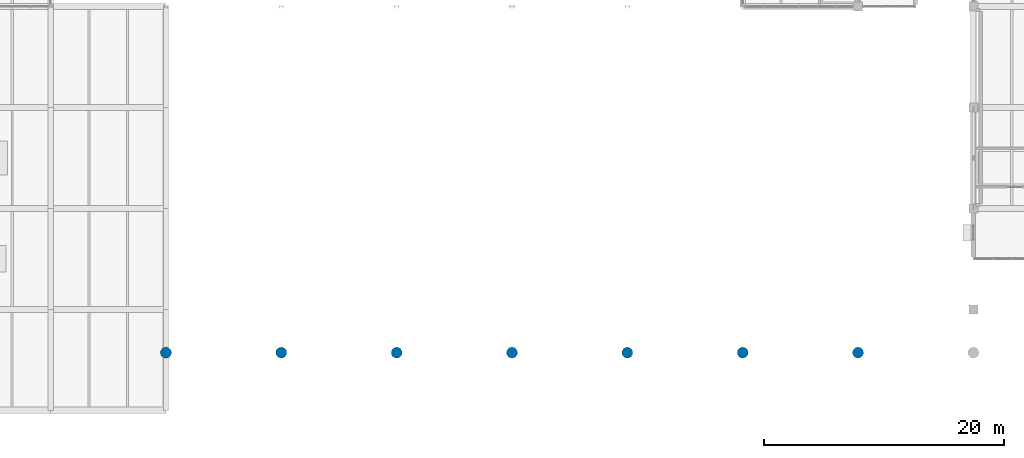
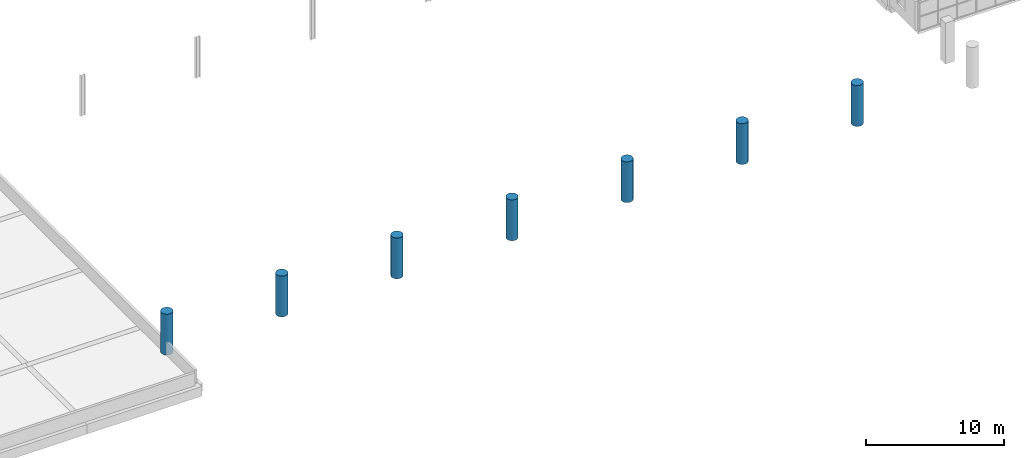
# One storey, part 3 of 147: 7 columns.
"""IFC4 building model written with IfcOpenShell, lengths in metres."""

from ifc_helpers import new_model, si_unit, direction, frame, origin, origin_2d, place, context, subcontext, project, spatial, circle, extrude, material, material_profile, profile_set, type_object, element, save


model = new_model("IFC4")

# Units and contexts
model_context = context("Model", 3, precision=1e-05, world=origin(), true_north=direction((0.0, 1.0)))
body_context = subcontext(model_context, "Body", "Model", "MODEL_VIEW")
ifc_project = project(units=[si_unit("LENGTHUNIT", "METRE"), si_unit("AREAUNIT", "SQUARE_METRE"), si_unit("VOLUMEUNIT", "CUBIC_METRE"), si_unit("PLANEANGLEUNIT", "RADIAN"), si_unit("MASSUNIT", "GRAM", prefix="KILO")], contexts=[model_context])

# Site, building, storey
site_placement = place(None, origin())
site = spatial("IfcSite", under=ifc_project, at=site_placement, CompositionType="ELEMENT")
building_placement = place(site_placement, origin())
building = spatial("IfcBuilding", under=site, at=building_placement, Name="Oolite Switchyard Hospital", CompositionType="ELEMENT")
storey_placement = place(building_placement, frame((0.0, 0.0, 9.89990234375)))
storey = spatial("IfcBuildingStorey", under=building, at=storey_placement, Name="L02", CompositionType="ELEMENT", Elevation=9.89990234375)

# Columns
ifc_material = material(Name="Precast concrete C40/50", Category="concrete")
ifc_material_profile = material_profile(ifc_material, circle(Radius=0.449951171875, at=origin_2d()), Name="RCCOL900")
ifc_profile_set = profile_set([ifc_material_profile], Name="Precast concrete C40/50")
column_type = type_object("IfcColumnType", Name="COL-PORT900", PredefinedType="COLUMN", material=ifc_profile_set)
for number, where, z_axis, x_axis, name in (
    (1, (67.199951171875, 4.800048828125, 0.0), (0.0, 0.0, 1.0), (1.0, 0.0, 0.0), "L02 Column 735"),
    (2, (76.800048828125, 4.800048828125, 0.0), (0.0, 0.0, 1.0), (1.0, 0.0, 0.0), "L02 Column 744"),
    (3, (86.39990234375, 4.800048828125, 0.0), (0.0, 0.0, 1.0), (1.0, 0.0, 0.0), "L02 Column 753"),
    (4, (96.0, 4.800048828125, 0.0), (0.0, 0.0, 1.0), (1.0, 0.0, 0.0), "L02 Column 759"),
    (5, (105.60009765625, 4.800048828125, 0.0), (0.0, 0.0, 1.0), (1.0, 0.0, 0.0), "L02 Column 765"),
    (6, (115.199951171875, 4.800048828125, 0.0), (0.0, 0.0, 1.0), (1.0, 0.0, 0.0), "L02 Column 771"),
    (7, (124.800048828125, 4.800048828125, 0.0), (0.0, 0.0, 1.0), (1.0, 0.0, 0.0), "L02 Column 782"),
):
    element("IfcColumn", number, at=place(storey_placement, frame(where, z_axis=z_axis, x_axis=x_axis)), inside=storey, type_object=column_type, Name=name, PredefinedType="COLUMN", context=body_context, shape_type="SweptSolid", body=[
        extrude(circle(Radius=0.449951171875, at=origin_2d()), origin(), (0.0, 0.0, 1.0), 3.60009765625),
    ])

save(model, "model.ifc")
